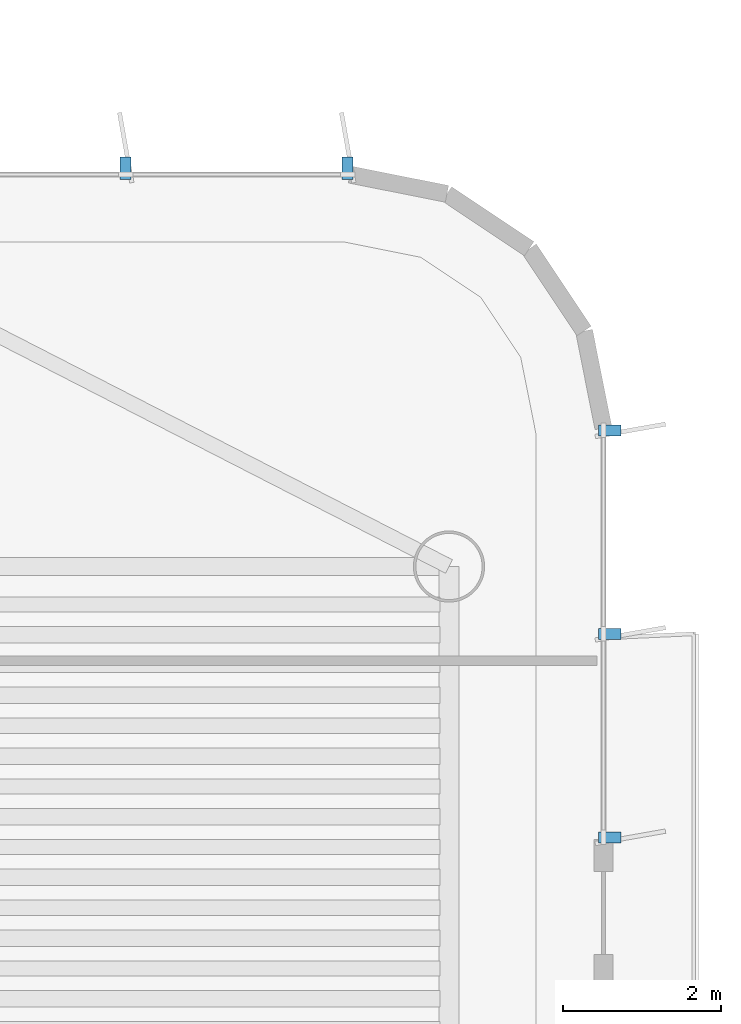
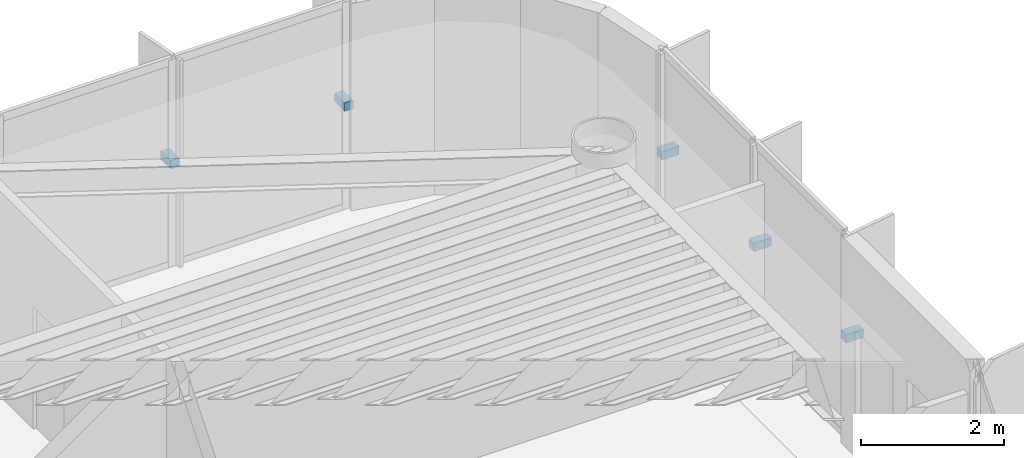
# One storey, part 14 of 16: 5 discrete accessories.
"""IFC4 building model written with IfcOpenShell, lengths in metres."""

from ifc_helpers import new_model, si_unit, direction, frame, origin, origin_2d, place, context, subcontext, project, spatial, rectangle, extrude, source, transform, mapped, material, type_object, element, save


model = new_model("IFC4")

# Units and contexts
model_context = context("Model", 3, precision=1e-05, world=origin(), true_north=direction((0.0, 1.0)))
body_context = subcontext(model_context, "Body", "Model", "MODEL_VIEW")
ifc_project = project(units=[si_unit("LENGTHUNIT", "METRE"), si_unit("AREAUNIT", "SQUARE_METRE"), si_unit("VOLUMEUNIT", "CUBIC_METRE"), si_unit("PLANEANGLEUNIT", "RADIAN"), si_unit("MASSUNIT", "GRAM", prefix="KILO")], contexts=[model_context])

# Site, building, storey
site_placement = place(None, origin())
site = spatial("IfcSite", under=ifc_project, at=site_placement, CompositionType="ELEMENT")
building_placement = place(site_placement, origin())
building = spatial("IfcBuilding", under=site, at=building_placement, Name="Brelvock Crest Care Tower", CompositionType="ELEMENT")
storey_placement = place(building_placement, frame((0.0, 0.0, 238.139892578125)))
storey = spatial("IfcBuildingStorey", under=building, at=storey_placement, Name="L60", CompositionType="ELEMENT", Elevation=238.139892578125)

# Discrete accessories
ifc_material = material(Name="Steel Grade 350", Category="steel")
discrete_accessory_type = type_object("IfcDiscreteAccessoryType", Name="ACC-BRK1", PredefinedType="BRACKET", material=ifc_material)
shared_shape = source(origin(), body_context, "Body", "SweptSolid", [
    extrude(rectangle(XDim=0.280029296875, YDim=0.139892578125, at=origin_2d()), origin(), (0.0, 0.0, 1.0), 0.139892578125),
])
for number, where, z_axis, x_axis, name in (
    (1, (48.2666015625, 59.47998046875, 1.6953125), (0.0, 0.0, 1.0), (0.0, 1.0, 0.0), "L60 Facade Fin Bracket E34-03"),
    (2, (51.070068359375, 59.47998046875, 1.6953125), (0.0, 0.0, 1.0), (0.0, 1.0, 0.0), "L60 Facade Fin Bracket E34-04"),
    (3, (54.3798828125, 56.169921875, 1.6953125), (0.0, 0.0, 1.0), (1.0, 0.0, 0.0), "L60 Facade Fin Bracket E39A-01"),
    (4, (54.3798828125, 53.60009765625, 1.6953125), (0.0, 0.0, 1.0), (1.0, 0.0, 0.0), "L60 Facade Fin Bracket E39A-02"),
    (5, (54.3798828125, 51.030029296875, 1.6953125), (0.0, 0.0, 1.0), (1.0, 0.0, 0.0), "L60 Facade Fin Bracket E39A-03"),
):
    element("IfcDiscreteAccessory", number, at=place(storey_placement, frame(where, z_axis=z_axis, x_axis=x_axis)), inside=storey, type_object=discrete_accessory_type, Name=name, PredefinedType="BRACKET", context=body_context, shape_type="MappedRepresentation", body=[
        mapped(shared_shape, transform((0.0, 0.0, 0.0), x_axis=(1.0, 0.0, 0.0), y_axis=(0.0, 1.0, 0.0), z_axis=(0.0, 0.0, 1.0), scale=1.0)),
    ])

save(model, "model.ifc")
